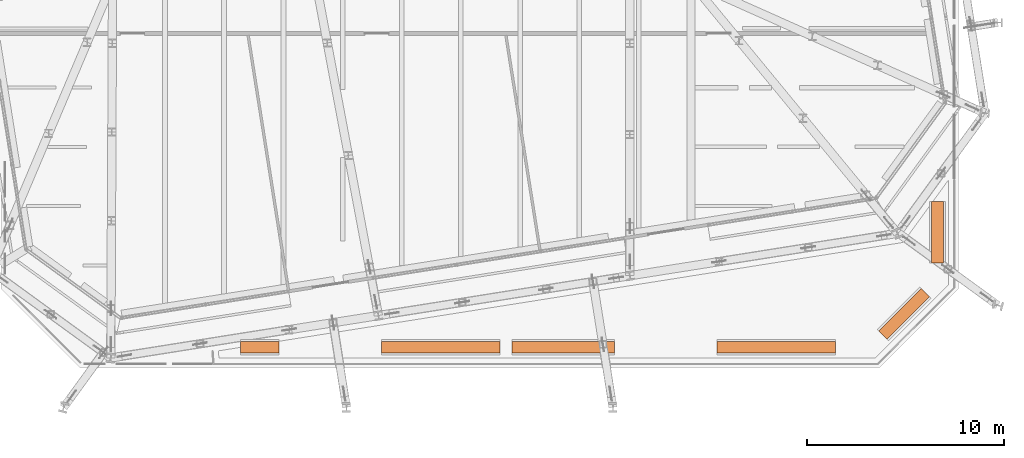
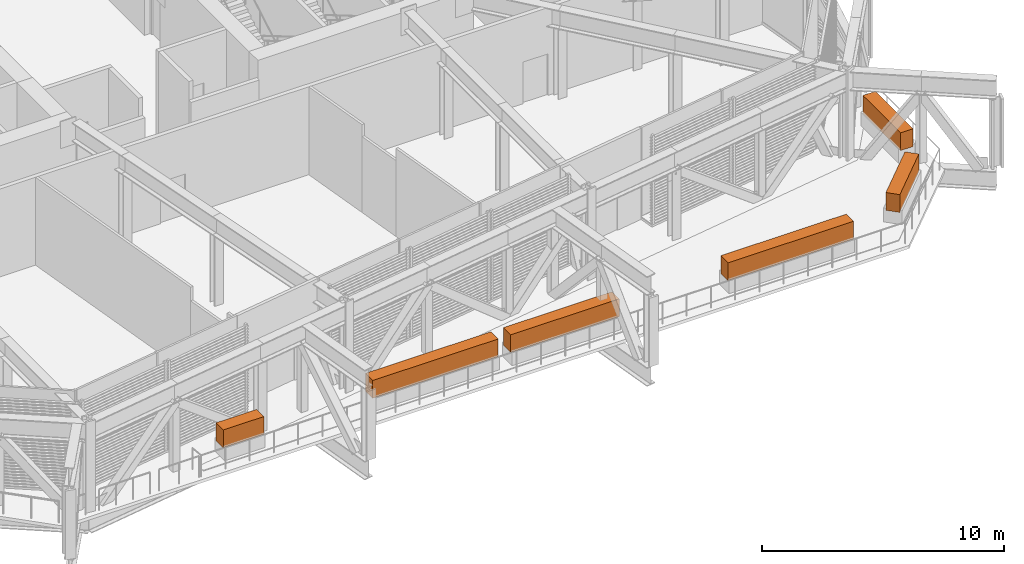
# One storey, part 32 of 32: 6 geographic elements.
"""IFC4 building model written with IfcOpenShell, lengths in metres."""

from ifc_helpers import new_model, si_unit, direction, frame, origin, origin_2d, place, context, subcontext, project, spatial, rectangle, extrude, material, type_object, element, save


model = new_model("IFC4")

# Units and contexts
model_context = context("Model", 3, precision=1e-05, world=origin(), true_north=direction((0.0, 1.0)))
body_context = subcontext(model_context, "Body", "Model", "MODEL_VIEW")
ifc_project = project(units=[si_unit("LENGTHUNIT", "METRE"), si_unit("AREAUNIT", "SQUARE_METRE"), si_unit("VOLUMEUNIT", "CUBIC_METRE"), si_unit("PLANEANGLEUNIT", "RADIAN"), si_unit("MASSUNIT", "GRAM", prefix="KILO")], contexts=[model_context])

# Site, building, storey
site_placement = place(None, origin())
site = spatial("IfcSite", under=ifc_project, at=site_placement, CompositionType="ELEMENT")
building_placement = place(site_placement, origin())
building = spatial("IfcBuilding", under=site, at=building_placement, Name="Millrace Tower", CompositionType="ELEMENT")
storey_placement = place(building_placement, frame((0.0, 0.0, 124.89990234375)))
storey = spatial("IfcBuildingStorey", under=building, at=storey_placement, Name="L27", CompositionType="ELEMENT", Elevation=124.89990234375)

# Geographic elements
ifc_material = material(Name="Planting shrub bed")
geographic_element_type = type_object("IfcGeographicElementType", Name="Shrub bed", PredefinedType="USERDEFINED", material=ifc_material)
geographic_element_1_placement = place(storey_placement, frame((-7.18896484375, -28.14990234375, 0.64013671875), z_axis=(0.0, 0.0, 1.0), x_axis=(1.0, 0.0, 0.0)))
element("IfcGeographicElement", 1, at=geographic_element_1_placement, inside=storey, type_object=geographic_element_type, Name="Shrub bed T-L26-1-1-1-0", ObjectType="SHRUB", PredefinedType="USERDEFINED", context=body_context, shape_type="SweptSolid", body=[
    extrude(rectangle(XDim=1.9423828125, YDim=0.60009765625, at=origin_2d()), origin(), (0.0, 0.0, 1.0), 0.89990234375),
])
geographic_element_2_placement = place(storey_placement, frame((1.982177734375, -28.14990234375, 0.64013671875), z_axis=(0.0, 0.0, 1.0), x_axis=(1.0, 0.0, 0.0)))
element("IfcGeographicElement", 2, at=geographic_element_2_placement, inside=storey, type_object=geographic_element_type, Name="Shrub bed T-L26-1-1-1-1", ObjectType="SHRUB", PredefinedType="USERDEFINED", context=body_context, shape_type="SweptSolid", body=[
    extrude(rectangle(XDim=6.0, YDim=0.60009765625, at=origin_2d()), origin(), (0.0, 0.0, 1.0), 0.89990234375),
])
geographic_element_3_placement = place(storey_placement, frame((8.17626953125, -28.14990234375, 0.64013671875), z_axis=(0.0, 0.0, 1.0), x_axis=(1.0, 0.0, 0.0)))
element("IfcGeographicElement", 3, at=geographic_element_3_placement, inside=storey, type_object=geographic_element_type, Name="Shrub bed T-L26-1-1-1-2", ObjectType="SHRUB", PredefinedType="USERDEFINED", context=body_context, shape_type="SweptSolid", body=[
    extrude(rectangle(XDim=5.188232421875, YDim=0.60009765625, at=origin_2d()), origin(), (0.0, 0.0, 1.0), 0.89990234375),
])
geographic_element_4_placement = place(storey_placement, frame((18.97021484375, -28.14990234375, 0.64013671875), z_axis=(0.0, 0.0, 1.0), x_axis=(1.0, 0.0, 0.0)))
element("IfcGeographicElement", 4, at=geographic_element_4_placement, inside=storey, type_object=geographic_element_type, Name="Shrub bed T-L26-1-1-1-3", ObjectType="SHRUB", PredefinedType="USERDEFINED", context=body_context, shape_type="SweptSolid", body=[
    extrude(rectangle(XDim=6.0, YDim=0.60009765625, at=origin_2d()), origin(), (0.0, 0.0, 1.0), 0.89990234375),
])
geographic_element_5_placement = place(storey_placement, frame((25.45751953125, -26.45751953125, 0.64013671875), z_axis=(0.0, 0.0, 1.0), x_axis=(0.707106781187, 0.707106781187, 0.0)))
element("IfcGeographicElement", 5, at=geographic_element_5_placement, inside=storey, type_object=geographic_element_type, Name="Shrub bed T-L26-1-1-2-0", ObjectType="SHRUB", PredefinedType="USERDEFINED", context=body_context, shape_type="SweptSolid", body=[
    extrude(rectangle(XDim=3.042724609375, YDim=0.60009765625, at=origin_2d()), origin(), (0.0, 0.0, 1.0), 0.89990234375),
])
geographic_element_6_placement = place(storey_placement, frame((27.14990234375, -22.33544921875, 0.64013671875), z_axis=(0.0, 0.0, 1.0), x_axis=(0.0, 1.0, 0.0)))
element("IfcGeographicElement", 6, at=geographic_element_6_placement, inside=storey, type_object=geographic_element_type, Name="Shrub bed T-L26-1-1-3-0", ObjectType="SHRUB", PredefinedType="USERDEFINED", context=body_context, shape_type="SweptSolid", body=[
    extrude(rectangle(XDim=3.115234375, YDim=0.60009765625, at=origin_2d()), origin(), (0.0, 0.0, 1.0), 0.89990234375),
])

save(model, "model.ifc")
